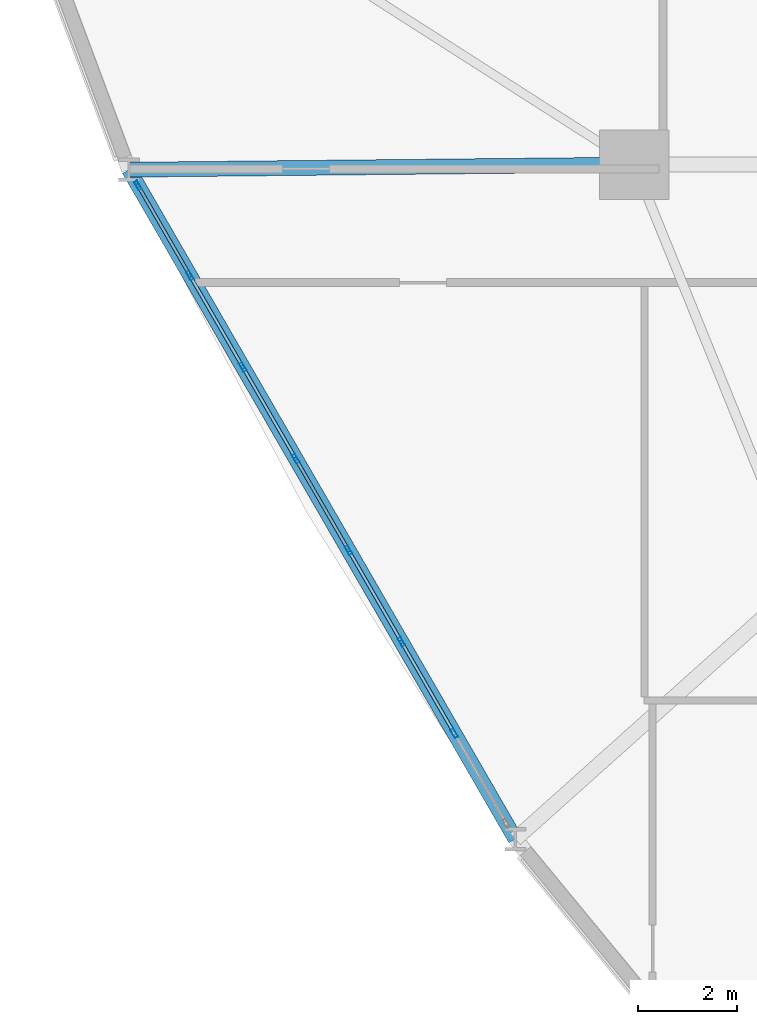
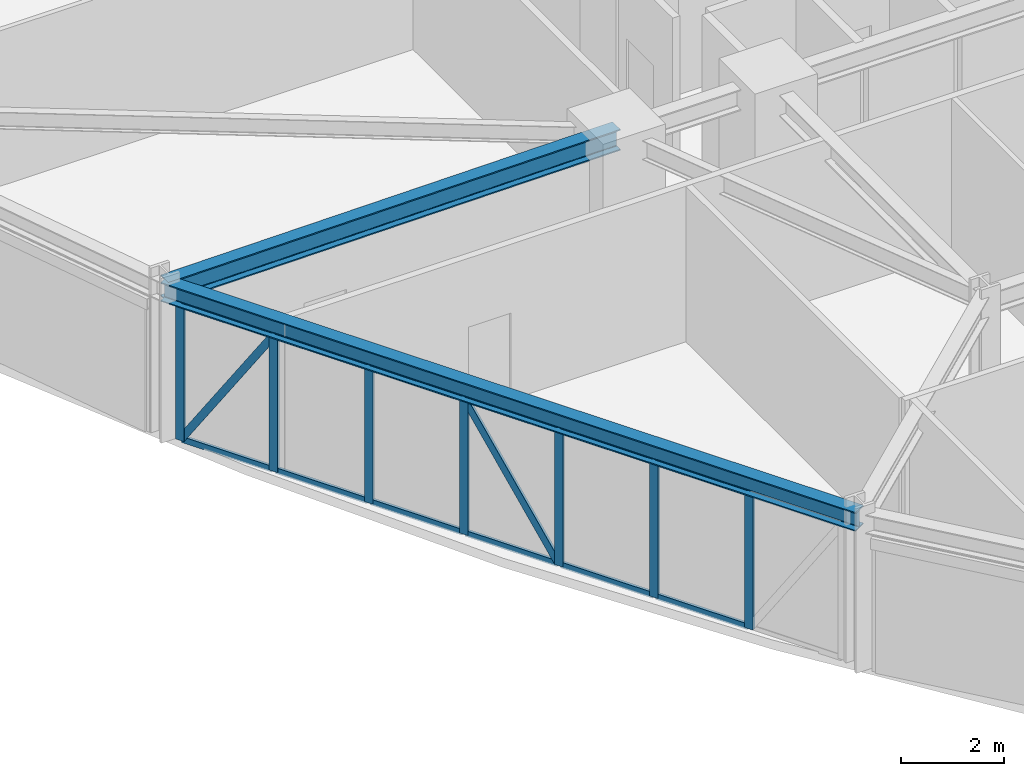
# One storey, part 4 of 22: 21 members, 2 beams, 1 element without a shape of its own.
"""IFC4 building model written with IfcOpenShell, lengths in metres."""

import ifcopenshell
import ifcopenshell.guid

model = None  # the IFC model being written
_history = None  # IfcOwnerHistory: only IFC2X3 demands one
_inside = {}  # id of a spatial element -> (the spatial element, [elements in it])
_under = {}  # id of a project, library or spatial element -> (it, [spatial elements below it])
_declared = {}  # id of a project -> (the project, [libraries it declares])
_typed = {}  # id of a type object -> (the type object, [elements of that type])
_made_of = {}  # id of a material, layer set ... -> (it, [elements and type objects made of it])


def new_model(schema):
    """Start an empty IFC model of exactly this schema.

    Asked for "IFC4X3", IfcOpenShell would pick the latest addendum, in which some entities
    have other attributes; the version numbers below select the first issue.
    IFC2X3 requires an IfcOwnerHistory on every rooted entity: one is made here for all.
    """
    global model, _history
    if schema == "IFC4X3":
        model = ifcopenshell.file(schema_version=(4, 3, 0, 0))
    else:
        model = ifcopenshell.file(schema=schema)
    _inside.clear()
    _under.clear()
    _declared.clear()
    _typed.clear()
    _made_of.clear()
    _history = None
    if model.schema == "IFC2X3":
        org = make("IfcOrganization", Name="unknown")
        user = make(
            "IfcPersonAndOrganization",
            ThePerson=make("IfcPerson", FamilyName="unknown"),
            TheOrganization=org,
        )
        app = make(
            "IfcApplication",
            ApplicationDeveloper=org,
            Version="unknown",
            ApplicationFullName="unknown",
            ApplicationIdentifier="unknown",
        )
        _history = make(
            "IfcOwnerHistory",
            OwningUser=user,
            OwningApplication=app,
            ChangeAction="ADDED",
            CreationDate=0,
        )
    return model


def make(cls, **values):
    """One entity of the class cls with the attributes given. An attribute that is None is left unset."""
    return model.create_entity(
        cls, **{name: value for name, value in values.items() if value is not None}
    )


def rooted(cls, **values):
    """An entity with a GlobalId (a new one), such as an element, a storey or a relation."""
    return make(cls, GlobalId=ifcopenshell.guid.new(), OwnerHistory=_history, **values)


def si_unit(unit_type, name, prefix=None):
    """IfcSIUnit, for example si_unit("LENGTHUNIT", "METRE", prefix="MILLI")."""
    return make("IfcSIUnit", UnitType=unit_type, Prefix=prefix, Name=name)


def derived_unit(unit_type, elements):
    """IfcDerivedUnit: a product of units, each with its exponent."""
    return make(
        "IfcDerivedUnit",
        Elements=[
            make("IfcDerivedUnitElement", Unit=unit, Exponent=power)
            for unit, power in elements
        ],
        UnitType=unit_type,
    )


def assignment(units):
    """IfcUnitAssignment: the units of a project."""
    return None if units is None else make("IfcUnitAssignment", Units=units)


def point(xyz):
    """IfcCartesianPoint."""
    return None if xyz is None else make("IfcCartesianPoint", Coordinates=xyz)


def direction(xyz):
    """IfcDirection."""
    return None if xyz is None else make("IfcDirection", DirectionRatios=xyz)


def frame(location, z_axis=None, x_axis=None):
    """IfcAxis2Placement3D, a coordinate frame: its origin and axes. An axis left out is left unset."""
    return make(
        "IfcAxis2Placement3D",
        Location=point(location),
        Axis=direction(z_axis),
        RefDirection=direction(x_axis),
    )


def frame_2d(location, x_axis=None):
    """IfcAxis2Placement2D, a coordinate frame in the plane: its origin and x axis."""
    return make(
        "IfcAxis2Placement2D", Location=point(location), RefDirection=direction(x_axis)
    )


def origin():
    """The frame at (0, 0, 0) with its axes left unset."""
    return frame((0.0, 0.0, 0.0))


def origin_2d():
    """The frame at (0, 0) in the plane with its x axis left unset."""
    return frame_2d((0.0, 0.0))


def place(relative_to, where):
    """IfcLocalPlacement: puts the frame where relative to a parent placement (None: the world)."""
    return make(
        "IfcLocalPlacement", PlacementRelTo=relative_to, RelativePlacement=where
    )


def context(
    kind, dimensions, precision=None, world=None, true_north=None, identifier=None
):
    """IfcGeometricRepresentationContext, for example the 3D "Model" context."""
    return make(
        "IfcGeometricRepresentationContext",
        ContextIdentifier=identifier,
        ContextType=kind,
        CoordinateSpaceDimension=dimensions,
        Precision=precision,
        WorldCoordinateSystem=world,
        TrueNorth=true_north,
    )


def subcontext(parent, identifier, kind, view, scale=None):
    """IfcGeometricRepresentationSubContext, for example "Body" below "Model"."""
    return make(
        "IfcGeometricRepresentationSubContext",
        ContextIdentifier=identifier,
        ContextType=kind,
        ParentContext=parent,
        TargetScale=scale,
        TargetView=view,
    )


def project(units=None, contexts=None):
    """IfcProject with its units and contexts."""
    return rooted(
        "IfcProject",
        Name="project",
        RepresentationContexts=contexts,
        UnitsInContext=assignment(units),
    )


def spatial(cls, under=None, at=None, **own):
    """A site, building, storey or space (cls), placed at a placement, below another one or the project."""
    s = rooted(cls, ObjectPlacement=at, **own)
    if under is not None:
        _under.setdefault(under.id(), (under, []))[1].append(s)
    return s


def profile(cls, at=None, kind="AREA", **sizes):
    """A parametric profile (cls). Its sizes go by their IFC names, for example OverallWidth=200.0."""
    return make(cls, ProfileType=kind, Position=at, **sizes)


def hollow_rectangle(**sizes):
    """IfcRectangleHollowProfileDef."""
    return profile("IfcRectangleHollowProfileDef", **sizes)


def i_section(**sizes):
    """IfcIShapeProfileDef."""
    return profile("IfcIShapeProfileDef", **sizes)


def extrude(swept, where, along, depth):
    """IfcExtrudedAreaSolid: the profile swept, set in the frame where, extruded along a direction by depth."""
    return make(
        "IfcExtrudedAreaSolid",
        SweptArea=swept,
        Position=where,
        ExtrudedDirection=direction(along),
        Depth=depth,
    )


def shape(context_of_items, identifier, shape_type, items):
    """IfcShapeRepresentation: the items that make up one representation, for example the "Body"."""
    return make(
        "IfcShapeRepresentation",
        ContextOfItems=context_of_items,
        RepresentationIdentifier=identifier,
        RepresentationType=shape_type,
        Items=items,
    )


def source(mapping_origin, context_of_items, identifier, shape_type, items):
    """IfcRepresentationMap: a shape defined once, which mapped items show again and again."""
    return make(
        "IfcRepresentationMap",
        MappingOrigin=mapping_origin,
        MappedRepresentation=shape(context_of_items, identifier, shape_type, items),
    )


def transform(
    local_origin,
    x_axis=None,
    y_axis=None,
    z_axis=None,
    scale=None,
    scale2=None,
    scale3=None,
    uniform=True,
):
    """IfcCartesianTransformationOperator3D, or its non-uniform kind. x_axis, y_axis, z_axis: its Axis1, 2, 3."""
    if uniform:
        return make(
            "IfcCartesianTransformationOperator3D",
            Axis1=direction(x_axis),
            Axis2=direction(y_axis),
            LocalOrigin=point(local_origin),
            Scale=scale,
            Axis3=direction(z_axis),
        )
    return make(
        "IfcCartesianTransformationOperator3DnonUniform",
        Axis1=direction(x_axis),
        Axis2=direction(y_axis),
        LocalOrigin=point(local_origin),
        Scale=scale,
        Axis3=direction(z_axis),
        Scale2=scale2,
        Scale3=scale3,
    )


def mapped(mapping_source, mapping_target):
    """IfcMappedItem: shows the shape of a source again, moved by a transform."""
    return make(
        "IfcMappedItem", MappingSource=mapping_source, MappingTarget=mapping_target
    )


def material(Name=None, Category=None):
    """IfcMaterial."""
    return make("IfcMaterial", Name=Name, Category=Category)


def layer(
    of_material, thickness, ventilated=None, Name=None, Category=None, Priority=None
):
    """IfcMaterialLayer: one layer of a wall or slab, of a material (None: an air gap)."""
    return make(
        "IfcMaterialLayer",
        Material=of_material,
        LayerThickness=thickness,
        IsVentilated=ventilated,
        Name=Name,
        Category=Category,
        Priority=Priority,
    )


def layer_set(layers, Name=None):
    """IfcMaterialLayerSet."""
    return make("IfcMaterialLayerSet", MaterialLayers=layers, LayerSetName=Name)


def material_profile(
    of_material, cross_section, Name=None, Category=None, Priority=None
):
    """IfcMaterialProfile: a cross section and its material."""
    return make(
        "IfcMaterialProfile",
        Name=Name,
        Material=of_material,
        Profile=cross_section,
        Priority=Priority,
        Category=Category,
    )


def profile_set(profiles, Name=None, composite=None):
    """IfcMaterialProfileSet."""
    return make(
        "IfcMaterialProfileSet",
        Name=Name,
        MaterialProfiles=profiles,
        CompositeProfile=composite,
    )


def made_of(thing, what):
    """Note that an element or type object is made of a material, layer set ...; save() writes the relation."""
    if what is not None:
        _made_of.setdefault(what.id(), (what, []))[1].append(thing)
    return thing


def type_object(cls, material=None, **own):
    """A type object (cls), such as IfcWallType, which elements share."""
    return made_of(rooted(cls, **own), material)


def element(
    cls,
    number,
    at=None,
    inside=None,
    cuts=None,
    type_object=None,
    material=None,
    context=None,
    identifier="Body",
    shape_type=None,
    held_by="IfcProductDefinitionShape",
    body=None,
    shapes=None,
    **own,
):
    """One element of the class cls, such as IfcWall. Its Tag is "e" and its number.

    at: its placement. inside: the storey or other place that contains it. cuts: it is an
    opening in that element (IfcRelVoidsElement). A single representation is given by context,
    identifier, shape_type and body (its items); several are given by shapes. held_by: the class
    of the entity that holds the representations. save() writes the other relations.
    """
    e = rooted(cls, Tag="e%d" % number, ObjectPlacement=at, **own)
    if body is not None:
        shapes = [shape(context, identifier, shape_type, body)]
    if shapes is not None:
        e.Representation = make(held_by, Representations=shapes)
    if inside is not None:
        _inside.setdefault(inside.id(), (inside, []))[1].append(e)
    if cuts is not None:
        rooted(
            "IfcRelVoidsElement", RelatingBuildingElement=cuts, RelatedOpeningElement=e
        )
    if type_object is not None:
        _typed.setdefault(type_object.id(), (type_object, []))[1].append(e)
    return made_of(e, material)


def aggregate(whole, parts):
    """IfcRelAggregates: a whole, such as a stair, and the parts it consists of."""
    return rooted("IfcRelAggregates", RelatingObject=whole, RelatedObjects=parts)


def save(model, path):
    """Write the relations noted so far, then the file.

    IfcRelAggregates (storeys below a building ...), IfcRelContainedInSpatialStructure (elements
    in a storey), IfcRelDefinesByType, IfcRelAssociatesMaterial and IfcRelDeclares: one each for
    every whole, place, type object, material and project.
    """
    for whole, parts in _under.values():
        aggregate(whole, parts)
    for where, things in _inside.values():
        rooted(
            "IfcRelContainedInSpatialStructure",
            RelatedElements=things,
            RelatingStructure=where,
        )
    for kind, things in _typed.values():
        rooted("IfcRelDefinesByType", RelatedObjects=things, RelatingType=kind)
    for what, things in _made_of.values():
        rooted("IfcRelAssociatesMaterial", RelatedObjects=things, RelatingMaterial=what)
    for by, libraries in _declared.values():
        rooted("IfcRelDeclares", RelatingContext=by, RelatedDefinitions=libraries)
    model.write(path)


model = new_model("IFC4")

# Units and contexts
model_context = context("Model", 3, precision=1e-05, world=origin(), true_north=direction((0.0, 1.0)))
body_context = subcontext(model_context, "Body", "Model", "MODEL_VIEW")
ifc_project = project(units=[si_unit("LENGTHUNIT", "METRE"), si_unit("AREAUNIT", "SQUARE_METRE"), si_unit("VOLUMEUNIT", "CUBIC_METRE"), si_unit("PLANEANGLEUNIT", "RADIAN"), si_unit("MASSUNIT", "GRAM", prefix="KILO"), derived_unit("THERMALTRANSMITTANCEUNIT", [(si_unit("POWERUNIT", "WATT"), 1), (si_unit("LENGTHUNIT", "METRE"), -2), (si_unit("THERMODYNAMICTEMPERATUREUNIT", "KELVIN"), -1)])], contexts=[model_context])

# Site, building, storey
site_placement = place(None, origin())
site = spatial("IfcSite", under=ifc_project, at=site_placement, CompositionType="ELEMENT")
building_placement = place(site_placement, origin())
building = spatial("IfcBuilding", under=site, at=building_placement, Name="Korsvarv Bourse and Concert Hall", CompositionType="ELEMENT")
storey_placement = place(building_placement, frame((0.0, 0.0, 47.39990234375)))
storey = spatial("IfcBuildingStorey", under=building, at=storey_placement, Name="L11", CompositionType="ELEMENT", Elevation=47.39990234375)

# Beams
ifc_material_1 = material(Name="Steel S355", Category="steel")
ifc_material_profile_1 = material_profile(ifc_material_1, i_section(OverallWidth=0.300048828125, OverallDepth=0.449951171875, WebThickness=0.013916015625, FlangeThickness=0.02587890625, FilletRadius=0.02099609375, at=origin_2d()), Name="HEB 450")
ifc_profile_set_1 = profile_set([ifc_material_profile_1], Name="Steel S355")
beam_type_1 = type_object("IfcBeamType", Name="BM-HEB450", PredefinedType="SPANDREL", material=ifc_profile_set_1)
shared_shape_1 = source(origin(), body_context, "Body", "SweptSolid", [
    extrude(i_section(OverallWidth=0.300048828125, OverallDepth=0.449951171875, WebThickness=0.013916015625, FlangeThickness=0.02587890625, FilletRadius=0.02099609375, at=origin_2d()), origin(), (0.0, 0.0, 1.0), 15.569580078125),
])
beam_1_placement = place(storey_placement, frame((14.016845703125, 32.297119140625, 3.455078125), z_axis=(0.499994378262, -0.866028649472, 0.0), x_axis=(0.866028649472, 0.499994378262, 0.0)))
element("IfcBeam", 1, at=beam_1_placement, inside=storey, type_object=beam_type_1, Name="L11 beam B-08", PredefinedType="SPANDREL", context=body_context, shape_type="MappedRepresentation", body=[
    mapped(shared_shape_1, transform((0.0, 0.0, 0.0), scale=1.0)),
])
ifc_material_profile_2 = material_profile(ifc_material_1, i_section(OverallWidth=0.300048828125, OverallDepth=0.5, WebThickness=0.014404296875, FlangeThickness=0.028076171875, FilletRadius=0.02392578125, at=origin_2d()), Name="HEB 500")
ifc_profile_set_2 = profile_set([ifc_material_profile_2], Name="Steel S355")
beam_type_2 = type_object("IfcBeamType", Name="BM-HEB500", PredefinedType="BEAM", material=ifc_profile_set_2)
shared_shape_2 = source(origin(), body_context, "Body", "SweptSolid", [
    extrude(i_section(OverallWidth=0.300048828125, OverallDepth=0.5, WebThickness=0.014404296875, FlangeThickness=0.028076171875, FilletRadius=0.02392578125, at=origin_2d()), origin(), (0.0, 0.0, 1.0), 10.18359375),
])
beam_2_placement = place(storey_placement, frame((14.016845703125, 32.297119140625, 3.43017578125), z_axis=(0.999949064493, 0.010092988639, 0.0), x_axis=(-0.010092988639, 0.999949064493, 0.0)))
element("IfcBeam", 2, at=beam_2_placement, inside=storey, type_object=beam_type_2, Name="L11 beam B-07", PredefinedType="BEAM", context=body_context, shape_type="MappedRepresentation", body=[
    mapped(shared_shape_2, transform((0.0, 0.0, 0.0), scale=1.0)),
])

# Curtain wall, members
ifc_material_2 = material(Name="Anodised aluminium and triple low-E glazing", Category="glass")
ifc_layer = layer(ifc_material_2, 0.219970703125)
ifc_layer_set = layer_set([ifc_layer], Name="Anodised aluminium and triple low-E glazing")
curtain_wall_type = type_object("IfcCurtainWallType", Name="CW-SYS-1", PredefinedType="NOTDEFINED", material=ifc_layer_set)
curtain_wall_placement = place(storey_placement, origin())
curtain_wall = element("IfcCurtainWall", 3, at=curtain_wall_placement, inside=storey, type_object=curtain_wall_type, Name="L11 CW1 curtain wall CW-L11-F07", PredefinedType="NOTDEFINED")
ifc_material_3 = material(Name="Extruded aluminium EN AW-6063 T66", Category="aluminium")
ifc_material_profile_3 = material_profile(ifc_material_3, hollow_rectangle(XDim=0.070068359375, YDim=0.18994140625, WallThickness=0.0048828125, at=origin_2d()), Name="ALU-M 70x190")
ifc_profile_set_3 = profile_set([ifc_material_profile_3], Name="Extruded aluminium EN AW-6063 T66")
member_type_1 = type_object("IfcMemberType", Name="CWM-190", PredefinedType="MULLION", material=ifc_profile_set_3)
shared_shape_3 = source(origin(), body_context, "Body", "SweptSolid", [
    extrude(hollow_rectangle(XDim=0.070068359375, YDim=0.18994140625, WallThickness=0.0048828125, at=origin_2d()), origin(), (0.0, 0.0, 1.0), 3.22998046875),
])
member_1_placement = place(storey_placement, frame((14.199951171875, 31.979736328125, 0.0), z_axis=(0.0, 0.0, 1.0), x_axis=(0.866025499647, 0.499999833962, 0.0)))
member_1 = element("IfcMember", 4, at=member_1_placement, type_object=member_type_1, Name="CW1 mullion 1", PredefinedType="MULLION", context=body_context, shape_type="MappedRepresentation", body=[
    mapped(shared_shape_3, transform((0.0, 0.0, 0.0), scale=1.0)),
])
member_2_placement = place(storey_placement, frame((15.247314453125, 30.165771484375, 0.0), z_axis=(0.0, 0.0, 1.0), x_axis=(0.866025499647, 0.499999833962, 0.0)))
member_2 = element("IfcMember", 5, at=member_2_placement, type_object=member_type_1, Name="CW1 mullion 2", PredefinedType="MULLION", context=body_context, shape_type="MappedRepresentation", body=[
    mapped(shared_shape_3, transform((0.0, 0.0, 0.0), scale=1.0)),
])
member_3_placement = place(storey_placement, frame((16.31201171875, 28.321533203125, 0.0), z_axis=(0.0, 0.0, 1.0), x_axis=(0.866025499647, 0.499999833962, 0.0)))
member_3 = element("IfcMember", 6, at=member_3_placement, type_object=member_type_1, Name="CW1 mullion 3", PredefinedType="MULLION", context=body_context, shape_type="MappedRepresentation", body=[
    mapped(shared_shape_3, transform((0.0, 0.0, 0.0), scale=1.0)),
])
member_4_placement = place(storey_placement, frame((17.376708984375, 26.477294921875, 0.0), z_axis=(0.0, 0.0, 1.0), x_axis=(0.866025499647, 0.499999833962, 0.0)))
member_4 = element("IfcMember", 7, at=member_4_placement, type_object=member_type_1, Name="CW1 mullion 4", PredefinedType="MULLION", context=body_context, shape_type="MappedRepresentation", body=[
    mapped(shared_shape_3, transform((0.0, 0.0, 0.0), scale=1.0)),
])
member_5_placement = place(storey_placement, frame((18.441650390625, 24.633056640625, 0.0), z_axis=(0.0, 0.0, 1.0), x_axis=(0.866025499647, 0.499999833962, 0.0)))
member_5 = element("IfcMember", 8, at=member_5_placement, type_object=member_type_1, Name="CW1 mullion 5", PredefinedType="MULLION", context=body_context, shape_type="MappedRepresentation", body=[
    mapped(shared_shape_3, transform((0.0, 0.0, 0.0), scale=1.0)),
])
member_6_placement = place(storey_placement, frame((19.50634765625, 22.788818359375, 0.0), z_axis=(0.0, 0.0, 1.0), x_axis=(0.866025499647, 0.499999833962, 0.0)))
member_6 = element("IfcMember", 9, at=member_6_placement, type_object=member_type_1, Name="CW1 mullion 6", PredefinedType="MULLION", context=body_context, shape_type="MappedRepresentation", body=[
    mapped(shared_shape_3, transform((0.0, 0.0, 0.0), scale=1.0)),
])
member_7_placement = place(storey_placement, frame((20.571044921875, 20.94482421875, 0.0), z_axis=(0.0, 0.0, 1.0), x_axis=(0.866025499647, 0.499999833962, 0.0)))
member_7 = element("IfcMember", 10, at=member_7_placement, type_object=member_type_1, Name="CW1 mullion 7", PredefinedType="MULLION", context=body_context, shape_type="MappedRepresentation", body=[
    mapped(shared_shape_3, transform((0.0, 0.0, 0.0), scale=1.0)),
])
ifc_material_profile_4 = material_profile(ifc_material_3, hollow_rectangle(XDim=0.06494140625, YDim=0.139892578125, WallThickness=0.00390625, at=origin_2d()), Name="ALU-T 65x140")
ifc_profile_set_4 = profile_set([ifc_material_profile_4], Name="Extruded aluminium EN AW-6063 T66")
member_type_2 = type_object("IfcMemberType", Name="CWT-140", PredefinedType="USERDEFINED", material=ifc_profile_set_4)
shared_shape_4 = source(origin(), body_context, "Body", "SweptSolid", [
    extrude(hollow_rectangle(XDim=0.06494140625, YDim=0.139892578125, WallThickness=0.00390625, at=origin_2d()), origin(), (0.0, 0.0, 1.0), 2.024658203125),
])
member_8_placement = place(storey_placement, frame((14.217529296875, 31.949462890625, 0.03271484375), z_axis=(0.499952099219, -0.866053057547, 0.0), x_axis=(0.866053057547, 0.499952099219, 0.0)))
member_8 = element("IfcMember", 11, at=member_8_placement, type_object=member_type_2, Name="CW1 transom 1.1", ObjectType="TRANSOM", PredefinedType="USERDEFINED", context=body_context, shape_type="MappedRepresentation", body=[
    mapped(shared_shape_4, transform((0.0, 0.0, 0.0), scale=1.0)),
])
member_9_placement = place(storey_placement, frame((14.217529296875, 31.949462890625, 3.197509765625), z_axis=(0.499952099219, -0.866053057547, 0.0), x_axis=(0.866053057547, 0.499952099219, 0.0)))
member_9 = element("IfcMember", 12, at=member_9_placement, type_object=member_type_2, Name="CW1 transom 1.2", ObjectType="TRANSOM", PredefinedType="USERDEFINED", context=body_context, shape_type="MappedRepresentation", body=[
    mapped(shared_shape_4, transform((0.0, 0.0, 0.0), scale=1.0)),
])
ifc_material_profile_5 = material_profile(ifc_material_3, hollow_rectangle(XDim=0.06494140625, YDim=0.1650390625, WallThickness=0.0048828125, at=origin_2d()), Name="ALU-M 65x165")
ifc_profile_set_5 = profile_set([ifc_material_profile_5], Name="Extruded aluminium EN AW-6063 T66")
member_type_3 = type_object("IfcMemberType", Name="CWM-165", PredefinedType="MULLION", material=ifc_profile_set_5)
shared_shape_5 = source(origin(), body_context, "Body", "SweptSolid", [
    extrude(hollow_rectangle(XDim=0.06494140625, YDim=0.1650390625, WallThickness=0.0048828125, at=origin_2d()), origin(), (0.0, 0.0, 1.0), 3.702392578125),
])
member_10_placement = place(storey_placement, frame((14.217529296875, 31.949462890625, 0.065185546875), z_axis=(0.273388505609, -0.473583272379, 0.83724405589), x_axis=(0.866053057547, 0.499952099219, 0.0)))
member_10 = element("IfcMember", 13, at=member_10_placement, type_object=member_type_3, Name="CW1 diagonal mullion 1", PredefinedType="MULLION", context=body_context, shape_type="MappedRepresentation", body=[
    mapped(shared_shape_5, transform((0.0, 0.0, 0.0), scale=1.0)),
])
shared_shape_6 = source(origin(), body_context, "Body", "SweptSolid", [
    extrude(hollow_rectangle(XDim=0.06494140625, YDim=0.139892578125, WallThickness=0.00390625, at=origin_2d()), origin(), (0.0, 0.0, 1.0), 2.0595703125),
])
member_11_placement = place(storey_placement, frame((15.2646484375, 30.135498046875, 0.03271484375), z_axis=(0.499989236795, -0.866031617834, 0.0), x_axis=(0.866031617834, 0.499989236795, 0.0)))
member_11 = element("IfcMember", 14, at=member_11_placement, type_object=member_type_2, Name="CW1 transom 2.1", ObjectType="TRANSOM", PredefinedType="USERDEFINED", context=body_context, shape_type="MappedRepresentation", body=[
    mapped(shared_shape_6, transform((0.0, 0.0, 0.0), scale=1.0)),
])
member_12_placement = place(storey_placement, frame((15.2646484375, 30.135498046875, 3.197509765625), z_axis=(0.499989236795, -0.866031617834, 0.0), x_axis=(0.866031617834, 0.499989236795, 0.0)))
member_12 = element("IfcMember", 15, at=member_12_placement, type_object=member_type_2, Name="CW1 transom 2.2", ObjectType="TRANSOM", PredefinedType="USERDEFINED", context=body_context, shape_type="MappedRepresentation", body=[
    mapped(shared_shape_6, transform((0.0, 0.0, 0.0), scale=1.0)),
])
member_13_placement = place(storey_placement, frame((16.32958984375, 28.291259765625, 0.03271484375), z_axis=(0.499989236795, -0.866031617834, 0.0), x_axis=(0.866031617834, 0.499989236795, 0.0)))
member_13 = element("IfcMember", 16, at=member_13_placement, type_object=member_type_2, Name="CW1 transom 3.1", ObjectType="TRANSOM", PredefinedType="USERDEFINED", context=body_context, shape_type="MappedRepresentation", body=[
    mapped(shared_shape_6, transform((0.0, 0.0, 0.0), scale=1.0)),
])
member_14_placement = place(storey_placement, frame((16.32958984375, 28.291259765625, 3.197509765625), z_axis=(0.499989236795, -0.866031617834, 0.0), x_axis=(0.866031617834, 0.499989236795, 0.0)))
member_14 = element("IfcMember", 17, at=member_14_placement, type_object=member_type_2, Name="CW1 transom 3.2", ObjectType="TRANSOM", PredefinedType="USERDEFINED", context=body_context, shape_type="MappedRepresentation", body=[
    mapped(shared_shape_6, transform((0.0, 0.0, 0.0), scale=1.0)),
])
shared_shape_7 = source(origin(), body_context, "Body", "SweptSolid", [
    extrude(hollow_rectangle(XDim=0.06494140625, YDim=0.139892578125, WallThickness=0.00390625, at=origin_2d()), origin(), (0.0, 0.0, 1.0), 2.059326171875),
])
member_15_placement = place(storey_placement, frame((17.394287109375, 26.447021484375, 0.03271484375), z_axis=(0.500040568494, -0.866001980287, 0.0), x_axis=(0.866001980287, 0.500040568494, 0.0)))
member_15 = element("IfcMember", 18, at=member_15_placement, type_object=member_type_2, Name="CW1 transom 4.1", ObjectType="TRANSOM", PredefinedType="USERDEFINED", context=body_context, shape_type="MappedRepresentation", body=[
    mapped(shared_shape_7, transform((0.0, 0.0, 0.0), scale=1.0)),
])
member_16_placement = place(storey_placement, frame((17.394287109375, 26.447021484375, 3.197509765625), z_axis=(0.500040568494, -0.866001980287, 0.0), x_axis=(0.866001980287, 0.500040568494, 0.0)))
member_16 = element("IfcMember", 19, at=member_16_placement, type_object=member_type_2, Name="CW1 transom 4.2", ObjectType="TRANSOM", PredefinedType="USERDEFINED", context=body_context, shape_type="MappedRepresentation", body=[
    mapped(shared_shape_7, transform((0.0, 0.0, 0.0), scale=1.0)),
])
member_17_placement = place(storey_placement, frame((18.458984375, 24.602783203125, 0.03271484375), z_axis=(0.500040568494, -0.866001980287, 0.0), x_axis=(0.866001980287, 0.500040568494, 0.0)))
member_17 = element("IfcMember", 20, at=member_17_placement, type_object=member_type_2, Name="CW1 transom 5.1", ObjectType="TRANSOM", PredefinedType="USERDEFINED", context=body_context, shape_type="MappedRepresentation", body=[
    mapped(shared_shape_7, transform((0.0, 0.0, 0.0), scale=1.0)),
])
member_18_placement = place(storey_placement, frame((18.458984375, 24.602783203125, 3.197509765625), z_axis=(0.500040568494, -0.866001980287, 0.0), x_axis=(0.866001980287, 0.500040568494, 0.0)))
member_18 = element("IfcMember", 21, at=member_18_placement, type_object=member_type_2, Name="CW1 transom 5.2", ObjectType="TRANSOM", PredefinedType="USERDEFINED", context=body_context, shape_type="MappedRepresentation", body=[
    mapped(shared_shape_7, transform((0.0, 0.0, 0.0), scale=1.0)),
])
member_19_placement = place(storey_placement, frame((19.523681640625, 22.758544921875, 0.03271484375), z_axis=(0.500040568494, -0.866001980287, 0.0), x_axis=(0.866001980287, 0.500040568494, 0.0)))
member_19 = element("IfcMember", 22, at=member_19_placement, type_object=member_type_2, Name="CW1 transom 6.1", ObjectType="TRANSOM", PredefinedType="USERDEFINED", context=body_context, shape_type="MappedRepresentation", body=[
    mapped(shared_shape_7, transform((0.0, 0.0, 0.0), scale=1.0)),
])
member_20_placement = place(storey_placement, frame((19.523681640625, 22.758544921875, 3.197509765625), z_axis=(0.500040568494, -0.866001980287, 0.0), x_axis=(0.866001980287, 0.500040568494, 0.0)))
member_20 = element("IfcMember", 23, at=member_20_placement, type_object=member_type_2, Name="CW1 transom 6.2", ObjectType="TRANSOM", PredefinedType="USERDEFINED", context=body_context, shape_type="MappedRepresentation", body=[
    mapped(shared_shape_7, transform((0.0, 0.0, 0.0), scale=1.0)),
])
shared_shape_8 = source(origin(), body_context, "Body", "SweptSolid", [
    extrude(hollow_rectangle(XDim=0.06494140625, YDim=0.1650390625, WallThickness=0.0048828125, at=origin_2d()), origin(), (0.0, 0.0, 1.0), 3.7216796875),
])
member_21_placement = place(storey_placement, frame((18.424072265625, 24.66357421875, 0.065185546875), z_axis=(-0.276705684302, 0.479216458944, 0.832937902699), x_axis=(-0.866001980287, -0.500040568494, 0.0)))
member_21 = element("IfcMember", 24, at=member_21_placement, type_object=member_type_3, Name="CW1 diagonal mullion 4", PredefinedType="MULLION", context=body_context, shape_type="MappedRepresentation", body=[
    mapped(shared_shape_8, transform((0.0, 0.0, 0.0), scale=1.0)),
])
aggregate(curtain_wall, [member_1, member_2, member_3, member_4, member_5, member_6, member_7, member_8, member_9, member_10, member_11, member_12, member_13, member_14, member_15, member_16, member_21, member_17, member_18, member_19, member_20])

save(model, "model.ifc")
